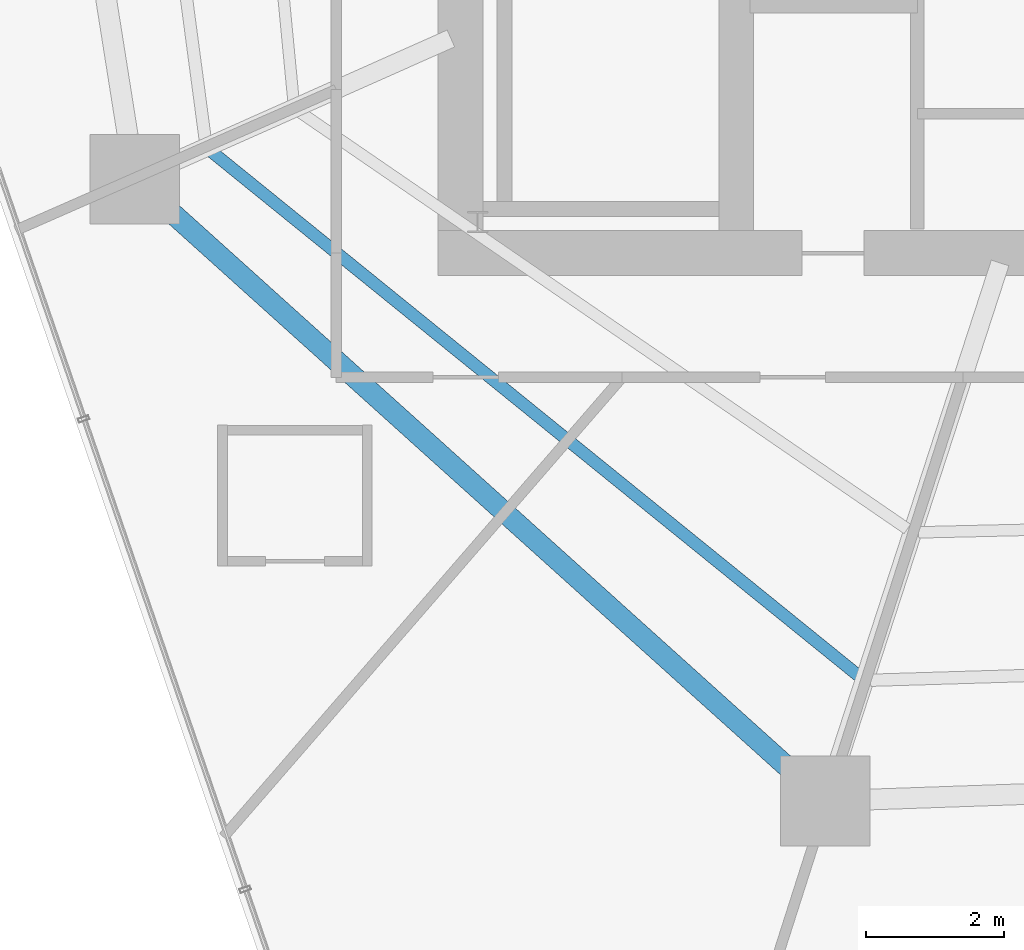
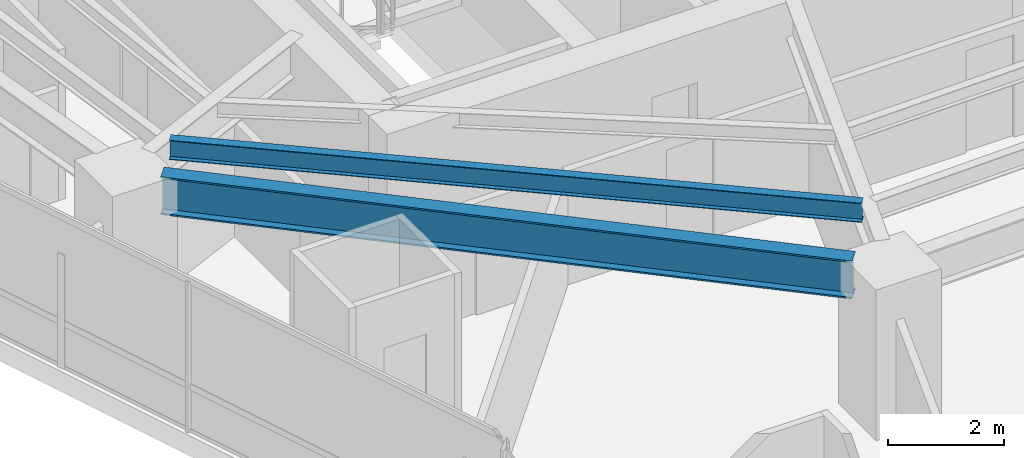
# One storey, part 4 of 33: 2 beams.
"""IFC4 building model written with IfcOpenShell, lengths in metres."""

from ifc_helpers import new_model, si_unit, direction, frame, origin, origin_2d, place, context, subcontext, project, spatial, i_section, extrude, material, material_profile, profile_set, type_object, element, save


model = new_model("IFC4")

# Units and contexts
model_context = context("Model", 3, precision=1e-05, world=origin(), true_north=direction((0.0, 1.0)))
body_context = subcontext(model_context, "Body", "Model", "MODEL_VIEW")
ifc_project = project(units=[si_unit("LENGTHUNIT", "METRE"), si_unit("AREAUNIT", "SQUARE_METRE"), si_unit("VOLUMEUNIT", "CUBIC_METRE"), si_unit("PLANEANGLEUNIT", "RADIAN"), si_unit("MASSUNIT", "GRAM", prefix="KILO")], contexts=[model_context])

# Site, building, storey
site_placement = place(None, origin())
site = spatial("IfcSite", under=ifc_project, at=site_placement, CompositionType="ELEMENT")
building_placement = place(site_placement, origin())
building = spatial("IfcBuilding", under=site, at=building_placement, Name="Qarnah Convention Tower", CompositionType="ELEMENT")
storey_placement = place(building_placement, frame((0.0, 0.0, 27.0)))
storey = spatial("IfcBuildingStorey", under=building, at=storey_placement, Name="L05", CompositionType="ELEMENT", Elevation=27.0)

# Beams
ifc_material = material(Name="Structural steel S355JR", Category="steel")
ifc_material_profile_1 = material_profile(ifc_material, i_section(OverallWidth=0.177978515625, OverallDepth=0.407958984375, WebThickness=0.008056640625, FlangeThickness=0.012939453125, at=origin_2d()), Name="W410X60")
ifc_profile_set_1 = profile_set([ifc_material_profile_1], Name="Structural steel S355JR")
beam_type_1 = type_object("IfcBeamType", Name="BM-JST-W410", PredefinedType="JOIST", material=ifc_profile_set_1)
beam_1_placement = place(storey_placement, frame((23.18896484375, 20.073974609375, 2.966064453125), z_axis=(0.777068026563, -0.629416620445, 0.0), x_axis=(0.629416620445, 0.777068026563, 0.0)))
element("IfcBeam", 1, at=beam_1_placement, inside=storey, type_object=beam_type_1, Name="L05 joist BM-L05-SJST-06", PredefinedType="JOIST", context=body_context, shape_type="SweptSolid", body=[
    extrude(i_section(OverallWidth=0.177978515625, OverallDepth=0.407958984375, WebThickness=0.008056640625, FlangeThickness=0.012939453125, at=origin_2d()), origin(), (0.0, 0.0, 1.0), 12.09033203125),
])
ifc_material_profile_2 = material_profile(ifc_material, i_section(OverallWidth=0.300048828125, OverallDepth=0.800048828125, WebThickness=0.01806640625, FlangeThickness=0.032958984375, at=origin_2d()), Name="HEB800")
ifc_profile_set_2 = profile_set([ifc_material_profile_2], Name="Structural steel S355JR")
beam_type_2 = type_object("IfcBeamType", Name="BM-RING-HEB800", PredefinedType="BEAM", material=ifc_profile_set_2)
beam_2_placement = place(storey_placement, frame((22.556884765625, 19.240966796875, 2.77001953125), z_axis=(0.743082870291, -0.669199408159, 0.0), x_axis=(0.669199408159, 0.743082870291, 0.0)))
element("IfcBeam", 2, at=beam_2_placement, inside=storey, type_object=beam_type_2, Name="L05 beam BM-L05-SPN-06", PredefinedType="BEAM", context=body_context, shape_type="SweptSolid", body=[
    extrude(i_section(OverallWidth=0.300048828125, OverallDepth=0.800048828125, WebThickness=0.01806640625, FlangeThickness=0.032958984375, at=origin_2d()), origin(), (0.0, 0.0, 1.0), 12.183349609375),
])

save(model, "model.ifc")
